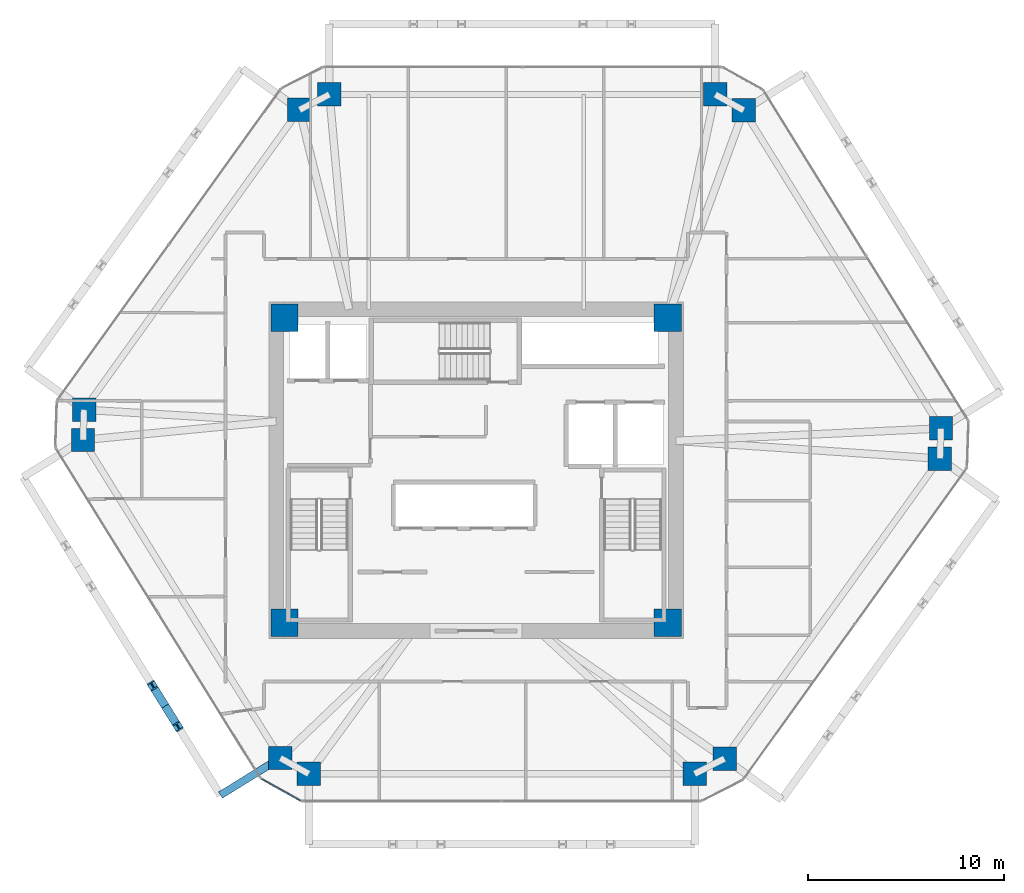
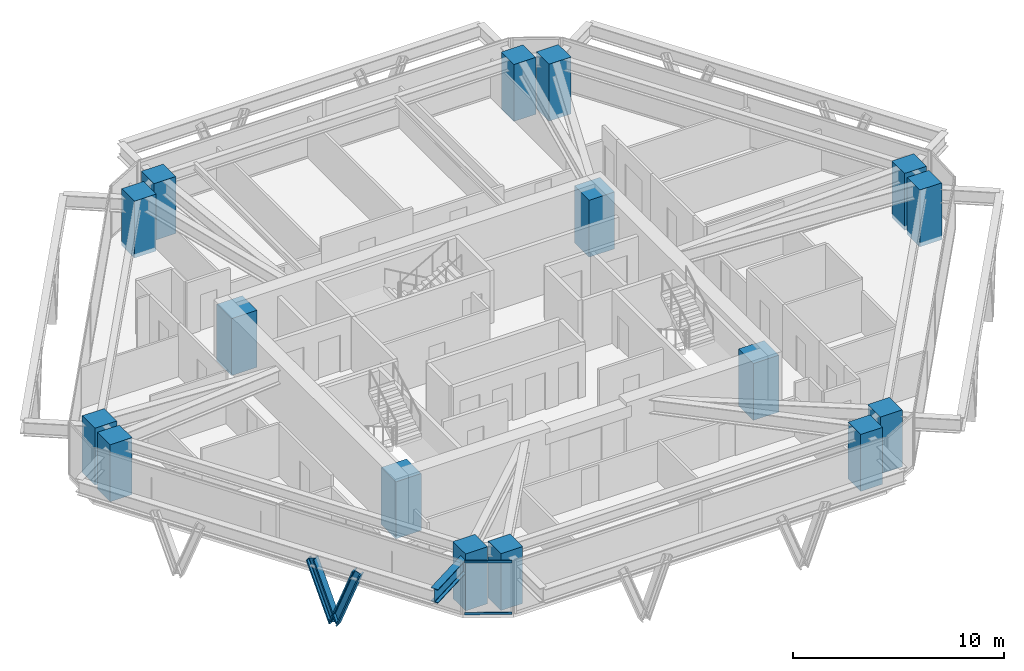
# One storey, part 1 of 14: 16 columns, 4 members, 1 beam, 1 element without a shape of its own.
"""IFC4 building model written with IfcOpenShell, lengths in metres."""

from ifc_helpers import new_model, si_unit, direction, frame, origin, origin_2d, place, context, subcontext, project, spatial, rectangle, i_section, extrude, source, transform, mapped, material, layer, layer_set, material_profile, profile_set, type_object, type_shapes, element, aggregate, save


model = new_model("IFC4")

# Units and contexts
model_context = context("Model", 3, precision=1e-05, world=origin(), true_north=direction((0.0, 1.0)))
body_context = subcontext(model_context, "Body", "Model", "MODEL_VIEW")
ifc_project = project(units=[si_unit("LENGTHUNIT", "METRE"), si_unit("AREAUNIT", "SQUARE_METRE"), si_unit("VOLUMEUNIT", "CUBIC_METRE"), si_unit("PLANEANGLEUNIT", "RADIAN"), si_unit("MASSUNIT", "GRAM", prefix="KILO")], contexts=[model_context])

# Site, building, storey
site_placement = place(None, origin())
site = spatial("IfcSite", under=ifc_project, at=site_placement, CompositionType="ELEMENT")
building_placement = place(site_placement, origin())
building = spatial("IfcBuilding", under=site, at=building_placement, Name="Durnholm Broadcast Tower", CompositionType="ELEMENT")
storey_placement = place(building_placement, frame((0.0, 0.0, 127.199951171875)))
storey = spatial("IfcBuildingStorey", under=building, at=storey_placement, Name="L34", CompositionType="ELEMENT", Elevation=127.199951171875)

# Columns
ifc_material_1 = material(Name="Concrete C70/85", Category="concrete")
ifc_material_profile_1 = material_profile(ifc_material_1, rectangle(XDim=1.39990234375, YDim=1.39990234375, at=origin_2d()), Name="RC1400X1400")
ifc_profile_set_1 = profile_set([ifc_material_profile_1], Name="Concrete C70/85")
column_type_1 = type_object("IfcColumnType", Name="COL-CC-1400", PredefinedType="COLUMN", material=ifc_profile_set_1)
shared_shape_1 = source(origin(), body_context, "Body", "SweptSolid", [
    extrude(rectangle(XDim=1.39990234375, YDim=1.39990234375, at=origin_2d()), origin(), (0.0, 0.0, 1.0), 3.300048828125),
])
type_shapes(column_type_1, [shared_shape_1])
for number, where, z_axis, x_axis, name in (
    (1, (-9.800048828125, -7.800048828125, -0.239990234375), (0.0, 0.0, 1.0), (1.0, 0.0, 0.0), "L34 core corner column 1"),
    (2, (9.800048828125, -7.800048828125, -0.239990234375), (0.0, 0.0, 1.0), (1.0, 0.0, 0.0), "L34 core corner column 2"),
    (3, (9.800048828125, 7.800048828125, -0.239990234375), (0.0, 0.0, 1.0), (1.0, 0.0, 0.0), "L34 core corner column 3"),
    (4, (-9.800048828125, 7.800048828125, -0.239990234375), (0.0, 0.0, 1.0), (1.0, 0.0, 0.0), "L34 core corner column 4"),
):
    element("IfcColumn", number, at=place(storey_placement, frame(where, z_axis=z_axis, x_axis=x_axis)), inside=storey, type_object=column_type_1, Name=name, PredefinedType="COLUMN", context=body_context, shape_type="MappedRepresentation", body=[
        mapped(shared_shape_1, transform((0.0, 0.0, 0.0), x_axis=(1.0, 0.0, 0.0), y_axis=(0.0, 1.0, 0.0), z_axis=(0.0, 0.0, 1.0), scale=1.0)),
    ])
ifc_material_profile_2 = material_profile(ifc_material_1, rectangle(XDim=1.199951171875, YDim=1.199951171875, at=origin_2d()), Name="RC1200X1200")
ifc_profile_set_2 = profile_set([ifc_material_profile_2], Name="Concrete C70/85")
column_type_2 = type_object("IfcColumnType", Name="COL-CC-1200", PredefinedType="COLUMN", material=ifc_profile_set_2)
shared_shape_2 = source(origin(), body_context, "Body", "SweptSolid", [
    extrude(rectangle(XDim=1.199951171875, YDim=1.199951171875, at=origin_2d()), origin(), (0.0, 0.0, 1.0), 3.300048828125),
])
type_shapes(column_type_2, [shared_shape_2])
for number, where, z_axis, x_axis, name in (
    (5, (-10.01416015625, -14.723388671875, -0.239990234375), (0.0, 0.0, 1.0), (1.0, 0.0, 0.0), "L34 perimeter hexagonal tube column 01"),
    (6, (-20.102783203125, 1.54150390625, -0.239990234375), (0.0, 0.0, 1.0), (1.0, 0.0, 0.0), "L34 perimeter hexagonal tube column 02"),
    (7, (-20.050048828125, 3.091064453125, -0.239990234375), (0.0, 0.0, 1.0), (1.0, 0.0, 0.0), "L34 perimeter hexagonal tube column 03"),
    (8, (-9.031982421875, 18.42822265625, -0.239990234375), (0.0, 0.0, 1.0), (1.0, 0.0, 0.0), "L34 perimeter hexagonal tube column 04"),
    (9, (-7.498046875, 19.215087890625, -0.239990234375), (0.0, 0.0, 1.0), (1.0, 0.0, 0.0), "L34 perimeter hexagonal tube column 05"),
    (10, (12.22998046875, 19.215087890625, -0.239990234375), (0.0, 0.0, 1.0), (1.0, 0.0, 0.0), "L34 perimeter hexagonal tube column 06"),
    (11, (13.692138671875, 18.4013671875, -0.239990234375), (0.0, 0.0, 1.0), (1.0, 0.0, 0.0), "L34 perimeter hexagonal tube column 07"),
    (12, (23.78076171875, 2.13671875, -0.239990234375), (0.0, 0.0, 1.0), (1.0, 0.0, 0.0), "L34 perimeter hexagonal tube column 08"),
    (13, (23.72802734375, 0.5869140625, -0.239990234375), (0.0, 0.0, 1.0), (1.0, 0.0, 0.0), "L34 perimeter hexagonal tube column 09"),
    (14, (12.7099609375, -14.750244140625, -0.239990234375), (0.0, 0.0, 1.0), (1.0, 0.0, 0.0), "L34 perimeter hexagonal tube column 10"),
    (15, (11.176025390625, -15.537109375, -0.239990234375), (0.0, 0.0, 1.0), (1.0, 0.0, 0.0), "L34 perimeter hexagonal tube column 11"),
    (16, (-8.552001953125, -15.537109375, -0.239990234375), (0.0, 0.0, 1.0), (1.0, 0.0, 0.0), "L34 perimeter hexagonal tube column 12"),
):
    element("IfcColumn", number, at=place(storey_placement, frame(where, z_axis=z_axis, x_axis=x_axis)), inside=storey, type_object=column_type_2, Name=name, PredefinedType="COLUMN", context=body_context, shape_type="MappedRepresentation", body=[
        mapped(shared_shape_2, transform((0.0, 0.0, 0.0), x_axis=(1.0, 0.0, 0.0), y_axis=(0.0, 1.0, 0.0), z_axis=(0.0, 0.0, 1.0), scale=1.0)),
    ])

# Beam
ifc_material_2 = material(Name="Steel ASTM A992 Grade 50", Category="steel")
ifc_material_profile_3 = material_profile(ifc_material_2, i_section(OverallWidth=0.385009765625, OverallDepth=0.802978515625, WebThickness=0.023681640625, FlangeThickness=0.0419921875, FilletRadius=0.032958984375, at=origin_2d()), Name="W30X261")
ifc_profile_set_3 = profile_set([ifc_material_profile_3], Name="Steel ASTM A992 Grade 50")
beam_type = type_object("IfcBeamType", Name="BM-EXO-TIE", PredefinedType="USERDEFINED", material=ifc_profile_set_3)
shared_shape_3 = source(origin(), body_context, "Body", "SweptSolid", [
    extrude(i_section(OverallWidth=0.385009765625, OverallDepth=0.802978515625, WebThickness=0.023681640625, FlangeThickness=0.0419921875, FilletRadius=0.032958984375, at=origin_2d()), origin(), (0.0, 0.0, 1.0), 3.455810546875),
])
type_shapes(beam_type, [shared_shape_3])
beam_placement = place(storey_placement, frame((-10.13671875, -14.79931640625, 2.30859375), z_axis=(-0.849807128357, -0.527093772107, 0.0), x_axis=(0.527093772107, -0.849807128357, 0.0)))
element("IfcBeam", 17, at=beam_placement, inside=storey, type_object=beam_type, Name="L34 exoskeleton stand-off tie bracket F6.2", ObjectType="GIRDER", PredefinedType="USERDEFINED", context=body_context, shape_type="MappedRepresentation", body=[
    mapped(shared_shape_3, transform((0.0, 0.0, 0.0), x_axis=(1.0, 0.0, 0.0), y_axis=(0.0, 1.0, 0.0), z_axis=(0.0, 0.0, 1.0), scale=1.0)),
])

# Members
ifc_material_3 = material(Name="Steel ASTM A913 Grade 65", Category="steel")
ifc_material_profile_4 = material_profile(ifc_material_3, i_section(OverallWidth=0.41845703125, OverallDepth=0.455078125, WebThickness=0.0419921875, FlangeThickness=0.067626953125, FilletRadius=0.030517578125, at=origin_2d()), Name="W14X370")
ifc_profile_set_4 = profile_set([ifc_material_profile_4], Name="Steel ASTM A913 Grade 65")
member_type_1 = type_object("IfcMemberType", Name="STL-DG-W14X370", PredefinedType="BRACE", material=ifc_profile_set_4)
shared_shape_4 = source(origin(), body_context, "Body", "SweptSolid", [
    extrude(i_section(OverallWidth=0.41845703125, OverallDepth=0.455078125, WebThickness=0.0419921875, FlangeThickness=0.067626953125, FilletRadius=0.030517578125, at=origin_2d()), origin(), (0.0, 0.0, 1.0), 3.523193359375),
])
type_shapes(member_type_1, [shared_shape_4])
for number, where, z_axis, x_axis, name in (
    (18, (-15.898193359375, -12.066650390625, -0.991455078125), (-0.184606642766, 0.297560406921, 0.936684681032), (-0.849750220063, -0.527185511469, 0.0), "L34 stand-off diagrid brace F6.D2.1"),
    (19, (-15.898193359375, -12.066650390625, -0.991455078125), (0.184602835855, -0.297623566065, 0.936665364961), (0.849805205368, 0.527096872433, 0.0), "L34 stand-off diagrid brace F6.D2.2"),
):
    element("IfcMember", number, at=place(storey_placement, frame(where, z_axis=z_axis, x_axis=x_axis)), inside=storey, type_object=member_type_1, Name=name, PredefinedType="BRACE", context=body_context, shape_type="MappedRepresentation", body=[
        mapped(shared_shape_4, transform((0.0, 0.0, 0.0), x_axis=(1.0, 0.0, 0.0), y_axis=(0.0, 1.0, 0.0), z_axis=(0.0, 0.0, 1.0), scale=1.0)),
    ])

# Curtain wall, members
ifc_material_4 = material(Name="Aluminium and Solar Control IGU", Category="aluminium")
ifc_layer = layer(ifc_material_4, 0.1650390625)
ifc_layer_set = layer_set([ifc_layer], Name="Aluminium and Solar Control IGU")
curtain_wall_type = type_object("IfcCurtainWallType", Name="CW-SYS-5", PredefinedType="NOTDEFINED", material=ifc_layer_set)
curtain_wall_placement = place(storey_placement, origin())
curtain_wall = element("IfcCurtainWall", 20, at=curtain_wall_placement, inside=storey, type_object=curtain_wall_type, Name="L34 curtain wall CW-CORNER CW-L34-CRN-11", PredefinedType="NOTDEFINED")
ifc_material_5 = material(Name="Aluminium 6063-T6", Category="aluminium")
ifc_material_profile_5 = material_profile(ifc_material_5, rectangle(XDim=0.06494140625, YDim=0.1298828125, at=origin_2d()), Name="CWT65X130")
ifc_profile_set_5 = profile_set([ifc_material_profile_5], Name="Aluminium 6063-T6")
member_type_2 = type_object("IfcMemberType", Name="CW-SYS-5-TRN", PredefinedType="USERDEFINED", material=ifc_profile_set_5)
shared_shape_5 = source(origin(), body_context, "Body", "SweptSolid", [
    extrude(rectangle(XDim=0.06494140625, YDim=0.1298828125, at=origin_2d()), origin(), (0.0, 0.0, 1.0), 2.27001953125),
])
type_shapes(member_type_2, [shared_shape_5])
member_1_placement = place(storey_placement, frame((-8.971923828125, -16.9052734375, 0.032470703125), z_axis=(-0.873832405737, 0.486227237703, 0.0), x_axis=(-0.486227237703, -0.873832405737, 0.0)))
member_1 = element("IfcMember", 21, at=member_1_placement, type_object=member_type_2, Name="CW-CORNER transom 1.1", ObjectType="TRANSOM", PredefinedType="USERDEFINED", context=body_context, shape_type="MappedRepresentation", body=[
    mapped(shared_shape_5, transform((0.0, 0.0, 0.0), x_axis=(1.0, 0.0, 0.0), y_axis=(0.0, 1.0, 0.0), z_axis=(0.0, 0.0, 1.0), scale=1.0)),
])
member_2_placement = place(storey_placement, frame((-8.971923828125, -16.9052734375, 3.027587890625), z_axis=(-0.873832405737, 0.486227237703, 0.0), x_axis=(-0.486227237703, -0.873832405737, 0.0)))
member_2 = element("IfcMember", 22, at=member_2_placement, type_object=member_type_2, Name="CW-CORNER transom 1.2", ObjectType="TRANSOM", PredefinedType="USERDEFINED", context=body_context, shape_type="MappedRepresentation", body=[
    mapped(shared_shape_5, transform((0.0, 0.0, 0.0), x_axis=(1.0, 0.0, 0.0), y_axis=(0.0, 1.0, 0.0), z_axis=(0.0, 0.0, 1.0), scale=1.0)),
])
aggregate(curtain_wall, [member_1, member_2])

save(model, "model.ifc")
